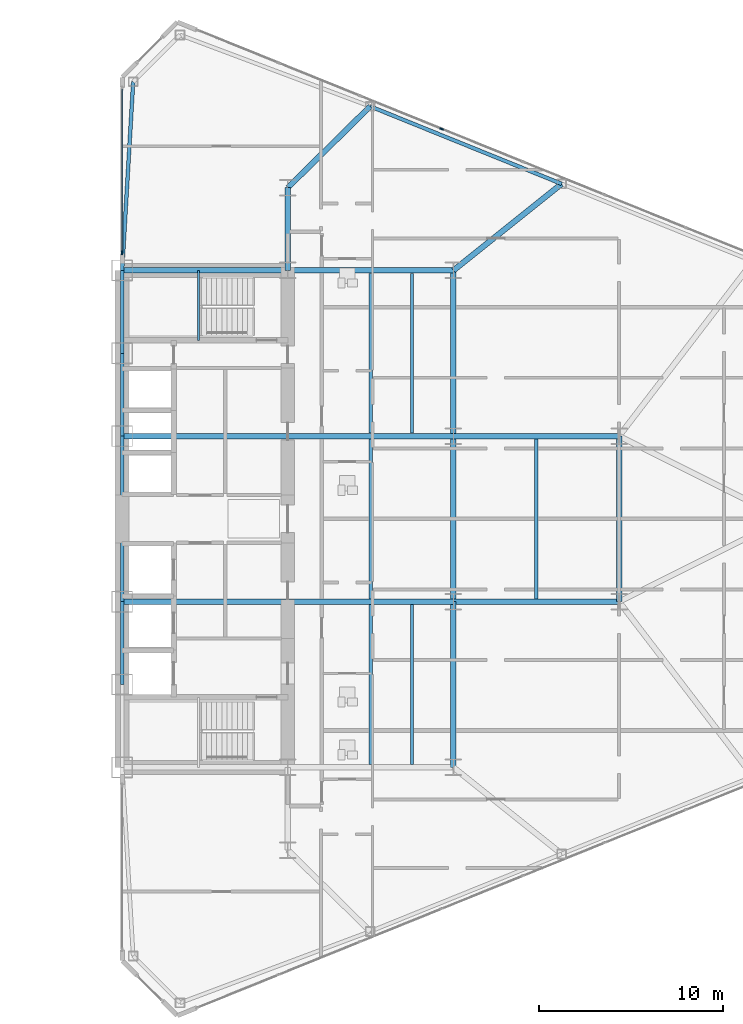
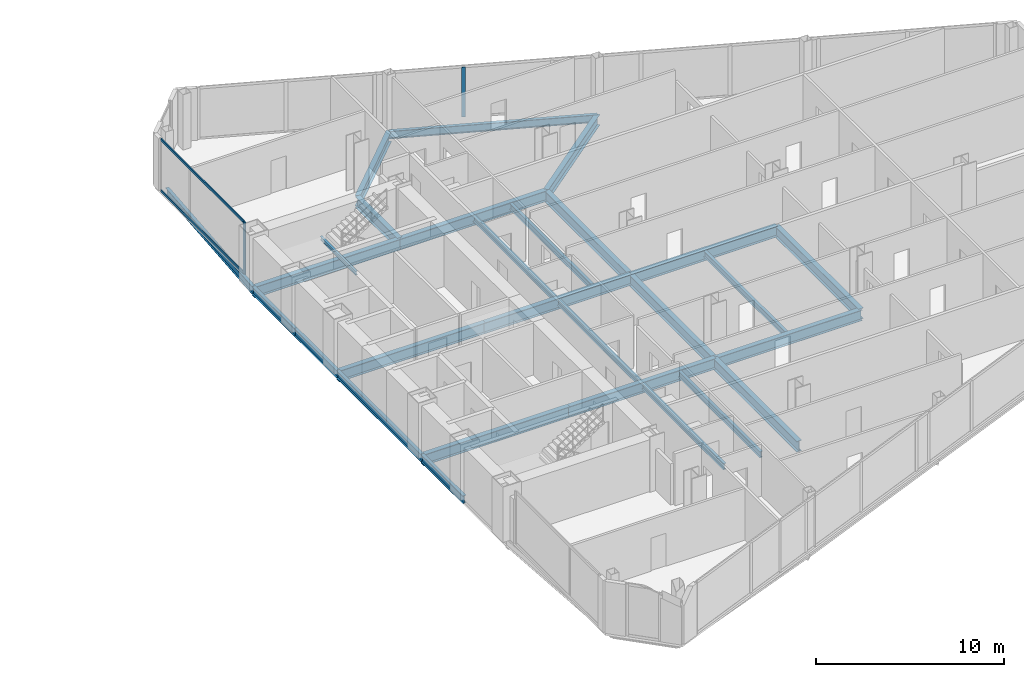
# One storey, part 11 of 25: 28 beams, 4 members, 2 elements without a shape of their own.
"""IFC4 building model written with IfcOpenShell, lengths in metres."""

from ifc_helpers import new_model, si_unit, direction, frame, origin, origin_2d, place, context, subcontext, project, spatial, rectangle, i_section, extrude, source, transform, mapped, material, layer, layer_set, material_profile, profile_set, type_object, type_shapes, element, aggregate, save


model = new_model("IFC4")

# Units and contexts
model_context = context("Model", 3, precision=1e-05, world=origin(), true_north=direction((0.0, 1.0)))
body_context = subcontext(model_context, "Body", "Model", "MODEL_VIEW")
ifc_project = project(units=[si_unit("LENGTHUNIT", "METRE"), si_unit("AREAUNIT", "SQUARE_METRE"), si_unit("VOLUMEUNIT", "CUBIC_METRE"), si_unit("PLANEANGLEUNIT", "RADIAN"), si_unit("MASSUNIT", "GRAM", prefix="KILO")], contexts=[model_context])

# Site, building, storey
site_placement = place(None, origin())
site = spatial("IfcSite", under=ifc_project, at=site_placement, CompositionType="ELEMENT")
building_placement = place(site_placement, origin())
building = spatial("IfcBuilding", under=site, at=building_placement, Name="Seokmaru Belvedere", CompositionType="ELEMENT")
storey_placement = place(building_placement, frame((0.0, 0.0, 40.5)))
storey = spatial("IfcBuildingStorey", under=building, at=storey_placement, Name="L10", CompositionType="ELEMENT", Elevation=40.5)

# Beams
ifc_material_1 = material(Name="Steel SM355 (355 MPa)", Category="steel")
ifc_material_profile_1 = material_profile(ifc_material_1, i_section(OverallWidth=0.199951171875, OverallDepth=0.5, WebThickness=0.010009765625, FlangeThickness=0.01611328125, at=origin_2d()), Name="H-500x200x10x16")
ifc_profile_set_1 = profile_set([ifc_material_profile_1], Name="Steel SM355 (355 MPa)")
beam_type_1 = type_object("IfcBeamType", Name="Perimeter Spandrel Beam H-500", PredefinedType="SPANDREL", material=ifc_profile_set_1)
shared_shape_1 = source(origin(), body_context, "Body", "SweptSolid", [
    extrude(i_section(OverallWidth=0.199951171875, OverallDepth=0.5, WebThickness=0.010009765625, FlangeThickness=0.01611328125, at=origin_2d()), origin(), (0.0, 0.0, 1.0), 4.5),
])
for number, where, z_axis, x_axis, name in (
    (1, (27.5, -9.0, -0.469970703125), (0.0, 1.0, 0.0), (-1.0, 0.0, 0.0), "L10 E Portal Spine Spandrel 2"),
    (2, (27.5, 4.5, -0.469970703125), (0.0, 1.0, 0.0), (-1.0, 0.0, 0.0), "L10 E Portal Spine Spandrel 4"),
    (3, (27.5, 9.0, -0.469970703125), (0.0, 1.0, 0.0), (-1.0, 0.0, 0.0), "L10 E Portal Spine Spandrel 5"),
):
    element("IfcBeam", number, at=place(storey_placement, frame(where, z_axis=z_axis, x_axis=x_axis)), inside=storey, type_object=beam_type_1, Name=name, PredefinedType="SPANDREL", context=body_context, shape_type="MappedRepresentation", body=[
        mapped(shared_shape_1, transform((0.0, 0.0, 0.0), scale=1.0)),
    ])
shared_shape_2 = source(origin(), body_context, "Body", "SweptSolid", [
    extrude(i_section(OverallWidth=0.199951171875, OverallDepth=0.5, WebThickness=0.010009765625, FlangeThickness=0.01611328125, at=origin_2d()), origin(), (0.0, 0.0, 1.0), 9.0),
])
beam_1_placement = place(storey_placement, frame((27.5, -4.5, -0.469970703125), z_axis=(0.0, 1.0, 0.0), x_axis=(-1.0, 0.0, 0.0)))
element("IfcBeam", 4, at=beam_1_placement, inside=storey, type_object=beam_type_1, Name="L10 E Portal Spine Spandrel 3", PredefinedType="SPANDREL", context=body_context, shape_type="MappedRepresentation", body=[
    mapped(shared_shape_2, transform((0.0, 0.0, 0.0), scale=1.0)),
])
ifc_material_profile_2 = material_profile(ifc_material_1, i_section(OverallWidth=0.300048828125, OverallDepth=0.699951171875, WebThickness=0.012939453125, FlangeThickness=0.02392578125, at=origin_2d()), Name="H-700x300x13x24")
ifc_profile_set_2 = profile_set([ifc_material_profile_2], Name="Steel SM355 (355 MPa)")
beam_type_2 = type_object("IfcBeamType", Name="Primary Floor Girder H-700", PredefinedType="BEAM", material=ifc_profile_set_2)
shared_shape_3 = source(origin(), body_context, "Body", "SweptSolid", [
    extrude(i_section(OverallWidth=0.300048828125, OverallDepth=0.699951171875, WebThickness=0.012939453125, FlangeThickness=0.02392578125, at=origin_2d()), origin(), (0.0, 0.0, 1.0), 4.5),
])
beam_2_placement = place(storey_placement, frame((36.5, 13.5, -0.570068359375), z_axis=(0.0, 1.0, 0.0), x_axis=(-1.0, 0.0, 0.0)))
element("IfcBeam", 5, at=beam_2_placement, inside=storey, type_object=beam_type_2, Name="L10 E Core Shoulder Girder N", PredefinedType="BEAM", context=body_context, shape_type="MappedRepresentation", body=[
    mapped(shared_shape_3, transform((0.0, 0.0, 0.0), scale=1.0)),
])
shared_shape_4 = source(origin(), body_context, "Body", "SweptSolid", [
    extrude(i_section(OverallWidth=0.300048828125, OverallDepth=0.699951171875, WebThickness=0.012939453125, FlangeThickness=0.02392578125, at=origin_2d()), origin(), (0.0, 0.0, 1.0), 9.0),
])
for number, where, z_axis, x_axis, name in (
    (6, (45.5, -13.5, -0.570068359375), (0.0, 1.0, 0.0), (-1.0, 0.0, 0.0), "L10 E Interior Grid Girder 1"),
    (7, (45.5, -4.5, -0.570068359375), (0.0, 1.0, 0.0), (-1.0, 0.0, 0.0), "L10 E Interior Grid Girder 2"),
    (8, (45.5, 4.5, -0.570068359375), (0.0, 1.0, 0.0), (-1.0, 0.0, 0.0), "L10 E Interior Grid Girder 3"),
    (9, (27.5, -4.5, -0.570068359375), (1.0, 0.0, 0.0), (0.0, 1.0, 0.0), "L10 E Core Tie Girder 2"),
    (10, (36.5, -4.5, -0.570068359375), (1.0, 0.0, 0.0), (0.0, 1.0, 0.0), "L10 E Wing Primary Girder 2"),
    (11, (27.5, 4.5, -0.570068359375), (1.0, 0.0, 0.0), (0.0, 1.0, 0.0), "L10 E Core Tie Girder 3"),
    (12, (36.5, 4.5, -0.570068359375), (1.0, 0.0, 0.0), (0.0, 1.0, 0.0), "L10 E Wing Primary Girder 3"),
    (13, (27.5, 13.5, -0.570068359375), (1.0, 0.0, 0.0), (0.0, 1.0, 0.0), "L10 E Core Tie Girder 4"),
    (14, (36.5, 13.5, -0.570068359375), (1.0, 0.0, 0.0), (0.0, 1.0, 0.0), "L10 E Wing Primary Girder 4"),
    (15, (45.5, -4.5, -0.570068359375), (1.0, 0.0, 0.0), (0.0, 1.0, 0.0), "L10 E Outer Wing Girder 1"),
    (16, (45.5, 4.5, -0.570068359375), (1.0, 0.0, 0.0), (0.0, 1.0, 0.0), "L10 E Outer Wing Girder 2"),
    (17, (54.5, -4.5, -0.570068359375), (0.0, 1.0, 0.0), (-1.0, 0.0, 0.0), "L10 E Apex Frame Girder"),
):
    element("IfcBeam", number, at=place(storey_placement, frame(where, z_axis=z_axis, x_axis=x_axis)), inside=storey, type_object=beam_type_2, Name=name, PredefinedType="BEAM", context=body_context, shape_type="MappedRepresentation", body=[
        mapped(shared_shape_4, transform((0.0, 0.0, 0.0), scale=1.0)),
    ])
ifc_material_profile_3 = material_profile(ifc_material_1, i_section(OverallWidth=0.18505859375, OverallDepth=0.389892578125, WebThickness=0.008056640625, FlangeThickness=0.011962890625, at=origin_2d()), Name="H-390x185x8x12")
ifc_profile_set_3 = profile_set([ifc_material_profile_3], Name="Steel SM355 (355 MPa)")
beam_type_3 = type_object("IfcBeamType", Name="Secondary Floor Joist H-350", PredefinedType="JOIST", material=ifc_profile_set_3)
shared_shape_5 = source(origin(), body_context, "Body", "SweptSolid", [
    extrude(i_section(OverallWidth=0.18505859375, OverallDepth=0.389892578125, WebThickness=0.008056640625, FlangeThickness=0.011962890625, at=origin_2d()), origin(), (0.0, 0.0, 1.0), 8.68994140625),
])
type_shapes(beam_type_3, [shared_shape_5])
for number, where, z_axis, x_axis, name in (
    (18, (43.25, -13.344970703125, -0.4150390625), (0.0, 1.0, 0.0), (-1.0, 0.0, 0.0), "L10 E Wing Inner Secondary Joist 1"),
    (19, (43.25, 4.655029296875, -0.4150390625), (0.0, 1.0, 0.0), (-1.0, 0.0, 0.0), "L10 E Wing Inner Secondary Joist 2"),
    (20, (41.0, -13.344970703125, -0.4150390625), (0.0, 1.0, 0.0), (-1.0, 0.0, 0.0), "L10 E Secondary Floor Joist 1"),
    (21, (41.0, -4.344970703125, -0.4150390625), (0.0, 1.0, 0.0), (-1.0, 0.0, 0.0), "L10 E Secondary Floor Joist 2"),
    (22, (41.0, 4.655029296875, -0.4150390625), (0.0, 1.0, 0.0), (-1.0, 0.0, 0.0), "L10 E Secondary Floor Joist 3"),
    (23, (50.0, -4.344970703125, -0.4150390625), (0.0, 1.0, 0.0), (-1.0, 0.0, 0.0), "L10 E Outer Bay Secondary Joist"),
):
    element("IfcBeam", number, at=place(storey_placement, frame(where, z_axis=z_axis, x_axis=x_axis)), inside=storey, type_object=beam_type_3, Name=name, PredefinedType="JOIST", context=body_context, shape_type="MappedRepresentation", body=[
        mapped(shared_shape_5, transform((0.0, 0.0, 0.0), scale=1.0)),
    ])
shared_shape_6 = source(origin(), body_context, "Body", "SweptSolid", [
    extrude(i_section(OverallWidth=0.199951171875, OverallDepth=0.5, WebThickness=0.010009765625, FlangeThickness=0.01611328125, at=origin_2d()), origin(), (0.0, 0.0, 1.0), 11.220703125),
])
beam_3_placement = place(storey_placement, frame((40.977294921875, 22.4140625, -0.469970703125), z_axis=(0.926944290816, -0.375198989503, 0.0), x_axis=(0.375198989503, 0.926944290816, 0.0)))
element("IfcBeam", 24, at=beam_3_placement, inside=storey, type_object=beam_type_1, Name="L10 E Faceted Flank Spandrel N-2", PredefinedType="SPANDREL", context=body_context, shape_type="MappedRepresentation", body=[
    mapped(shared_shape_6, transform((0.0, 0.0, 0.0), scale=1.0)),
])
shared_shape_7 = source(origin(), body_context, "Body", "SweptSolid", [
    extrude(i_section(OverallWidth=0.199951171875, OverallDepth=0.5, WebThickness=0.010009765625, FlangeThickness=0.01611328125, at=origin_2d()), origin(), (0.0, 0.0, 1.0), 10.26904296875),
])
type_shapes(beam_type_1, [shared_shape_1, shared_shape_2, shared_shape_6, shared_shape_7])
beam_4_placement = place(storey_placement, frame((28.10009765625, 23.75146484375, -0.469970703125), z_axis=(-0.058437709399, -0.998291056817, 0.0), x_axis=(0.998291056817, -0.058437709399, 0.0)))
element("IfcBeam", 25, at=beam_4_placement, inside=storey, type_object=beam_type_1, Name="L10 E Shoulder Spine Spandrel N", PredefinedType="SPANDREL", context=body_context, shape_type="MappedRepresentation", body=[
    mapped(shared_shape_7, transform((0.0, 0.0, 0.0), scale=1.0)),
])
shared_shape_8 = source(origin(), body_context, "Body", "SweptSolid", [
    extrude(i_section(OverallWidth=0.300048828125, OverallDepth=0.699951171875, WebThickness=0.012939453125, FlangeThickness=0.02392578125, at=origin_2d()), origin(), (0.0, 0.0, 1.0), 6.287353515625),
])
beam_5_placement = place(storey_placement, frame((40.977294921875, 22.4140625, -0.570068359375), z_axis=(-0.712117485263, -0.702060315915, 0.0), x_axis=(0.702060315915, -0.712117485263, 0.0)))
element("IfcBeam", 26, at=beam_5_placement, inside=storey, type_object=beam_type_2, Name="L10 E Flank Radial Floor Girder N-1", PredefinedType="BEAM", context=body_context, shape_type="MappedRepresentation", body=[
    mapped(shared_shape_8, transform((0.0, 0.0, 0.0), scale=1.0)),
])
shared_shape_9 = source(origin(), body_context, "Body", "SweptSolid", [
    extrude(i_section(OverallWidth=0.300048828125, OverallDepth=0.699951171875, WebThickness=0.012939453125, FlangeThickness=0.02392578125, at=origin_2d()), origin(), (0.0, 0.0, 1.0), 7.52880859375),
])
type_shapes(beam_type_2, [shared_shape_3, shared_shape_4, shared_shape_8, shared_shape_9])
beam_6_placement = place(storey_placement, frame((51.378173828125, 18.2041015625, -0.570068359375), z_axis=(-0.780767560736, -0.624821587418, 0.0), x_axis=(0.624821587418, -0.780767560736, 0.0)))
element("IfcBeam", 27, at=beam_6_placement, inside=storey, type_object=beam_type_2, Name="L10 E Flank Radial Floor Girder N-2", PredefinedType="BEAM", context=body_context, shape_type="MappedRepresentation", body=[
    mapped(shared_shape_9, transform((0.0, 0.0, 0.0), scale=1.0)),
])

# Curtain wall, members
ifc_material_2 = material(Name="Bronze Triple Insulating Glass", Category="glass")
ifc_layer = layer(ifc_material_2, 0.2099609375)
ifc_layer_set = layer_set([ifc_layer], Name="Bronze Triple Insulating Glass")
curtain_wall_type = type_object("IfcCurtainWallType", Name="Low-Rise Faceted Crystal Curtain Wall System CW-2", PredefinedType="NOTDEFINED", material=ifc_layer_set)
curtain_wall_1_placement = place(storey_placement, origin())
curtain_wall_1 = element("IfcCurtainWall", 28, at=curtain_wall_1_placement, inside=storey, type_object=curtain_wall_type, Name="L10 Curtain Wall ESP_2", PredefinedType="NOTDEFINED")
ifc_material_3 = material(Name="Anodised Bronze Aluminium", Category="aluminium")
ifc_material_profile_4 = material_profile(ifc_material_3, rectangle(XDim=0.070068359375, YDim=0.1650390625, at=origin_2d()), Name="CW-T-70x165")
ifc_profile_set_4 = profile_set([ifc_material_profile_4], Name="Anodised Bronze Aluminium")
member_type_1 = type_object("IfcMemberType", Name="Bronze Unitised Transom 70x165", PredefinedType="USERDEFINED", material=ifc_profile_set_4)
shared_shape_10 = source(origin(), body_context, "Body", "SweptSolid", [
    extrude(rectangle(XDim=0.070068359375, YDim=0.1650390625, at=origin_2d()), origin(), (0.0, 0.0, 1.0), 8.85009765625),
])
type_shapes(member_type_1, [shared_shape_10])
member_1_placement = place(storey_placement, frame((27.5, 23.35498046875, 0.034912109375), z_axis=(0.0, -1.0, 0.0), x_axis=(1.0, 0.0, 0.0)))
member_1 = element("IfcMember", 29, at=member_1_placement, type_object=member_type_1, Name="CW:L10:ESP_2 Continuous Transom 1", ObjectType="TRANSOM", PredefinedType="USERDEFINED", context=body_context, shape_type="MappedRepresentation", body=[
    mapped(shared_shape_10, transform((0.0, 0.0, 0.0), scale=1.0)),
])
member_2_placement = place(storey_placement, frame((27.5, 23.35498046875, 3.344970703125), z_axis=(0.0, -1.0, 0.0), x_axis=(1.0, 0.0, 0.0)))
member_2 = element("IfcMember", 30, at=member_2_placement, type_object=member_type_1, Name="CW:L10:ESP_2 Continuous Transom 2", ObjectType="TRANSOM", PredefinedType="USERDEFINED", context=body_context, shape_type="MappedRepresentation", body=[
    mapped(shared_shape_10, transform((0.0, 0.0, 0.0), scale=1.0)),
])

# Curtain wall, member
curtain_wall_2_placement = place(storey_placement, origin())
curtain_wall_2 = element("IfcCurtainWall", 31, at=curtain_wall_2_placement, inside=storey, type_object=curtain_wall_type, Name="L10 Curtain Wall EF3", PredefinedType="NOTDEFINED")
ifc_material_profile_5 = material_profile(ifc_material_3, rectangle(XDim=0.074951171875, YDim=0.2099609375, at=origin_2d()), Name="CW-M-75x210")
ifc_profile_set_5 = profile_set([ifc_material_profile_5], Name="Anodised Bronze Aluminium")
member_type_2 = type_object("IfcMemberType", Name="Bronze Unitised Mullion 75x210", PredefinedType="MULLION", material=ifc_profile_set_5)
shared_shape_11 = source(origin(), body_context, "Body", "SweptSolid", [
    extrude(rectangle(XDim=0.074951171875, YDim=0.2099609375, at=origin_2d()), origin(), (0.0, 0.0, 1.0), 3.239990234375),
])
member_3_placement = place(storey_placement, frame((44.855224609375, 21.189453125, 0.070068359375), z_axis=(0.0, 0.0, 1.0), x_axis=(-0.375192321888, -0.926946989637, 0.0)))
member_3 = element("IfcMember", 32, at=member_3_placement, type_object=member_type_2, Name="CW:L10:EF3 Mullion 7", PredefinedType="MULLION", context=body_context, shape_type="MappedRepresentation", body=[
    mapped(shared_shape_11, transform((0.0, 0.0, 0.0), scale=1.0)),
])
aggregate(curtain_wall_2, [member_3])

# Member
shared_shape_12 = source(origin(), body_context, "Body", "SweptSolid", [
    extrude(rectangle(XDim=0.074951171875, YDim=0.2099609375, at=origin_2d()), origin(), (0.0, 0.0, 1.0), 3.3798828125),
])
type_shapes(member_type_2, [shared_shape_11, shared_shape_12])
member_4_placement = place(storey_placement, frame((27.5, 14.467529296875, 0.0), z_axis=(0.0, 0.0, 1.0), x_axis=(1.0, 0.0, 0.0)))
member_4 = element("IfcMember", 33, at=member_4_placement, type_object=member_type_2, Name="CW:L10:ESP_2 Mullion 2", PredefinedType="MULLION", context=body_context, shape_type="MappedRepresentation", body=[
    mapped(shared_shape_12, transform((0.0, 0.0, 0.0), scale=1.0)),
])

aggregate(curtain_wall_1, [member_4, member_1, member_2])

# Beam
ifc_material_profile_6 = material_profile(ifc_material_1, i_section(OverallWidth=0.125, OverallDepth=0.25, WebThickness=0.006103515625, FlangeThickness=0.009033203125, at=origin_2d()), Name="H-250x125x6x9")
ifc_profile_set_6 = profile_set([ifc_material_profile_6], Name="Steel SM355 (355 MPa)")
beam_type_4 = type_object("IfcBeamType", Name="Stair Mid-Landing Support Beam H-250", PredefinedType="JOIST", material=ifc_profile_set_6)
shared_shape_13 = source(origin(), body_context, "Body", "SweptSolid", [
    extrude(i_section(OverallWidth=0.125, OverallDepth=0.25, WebThickness=0.006103515625, FlangeThickness=0.009033203125, at=origin_2d()), origin(), (0.0, 0.0, 1.0), 3.800048828125),
])
type_shapes(beam_type_4, [shared_shape_13])
beam_7_placement = place(storey_placement, frame((31.64990234375, 9.699951171875, 1.47509765625), z_axis=(0.0, 1.0, 0.0), x_axis=(-1.0, 0.0, 0.0)))
element("IfcBeam", 34, at=beam_7_placement, inside=storey, type_object=beam_type_4, Name="L10 Stair ST-E2 Mid-Landing Support Beam 1", PredefinedType="JOIST", context=body_context, shape_type="MappedRepresentation", body=[
    mapped(shared_shape_13, transform((0.0, 0.0, 0.0), scale=1.0)),
])

save(model, "model.ifc")
